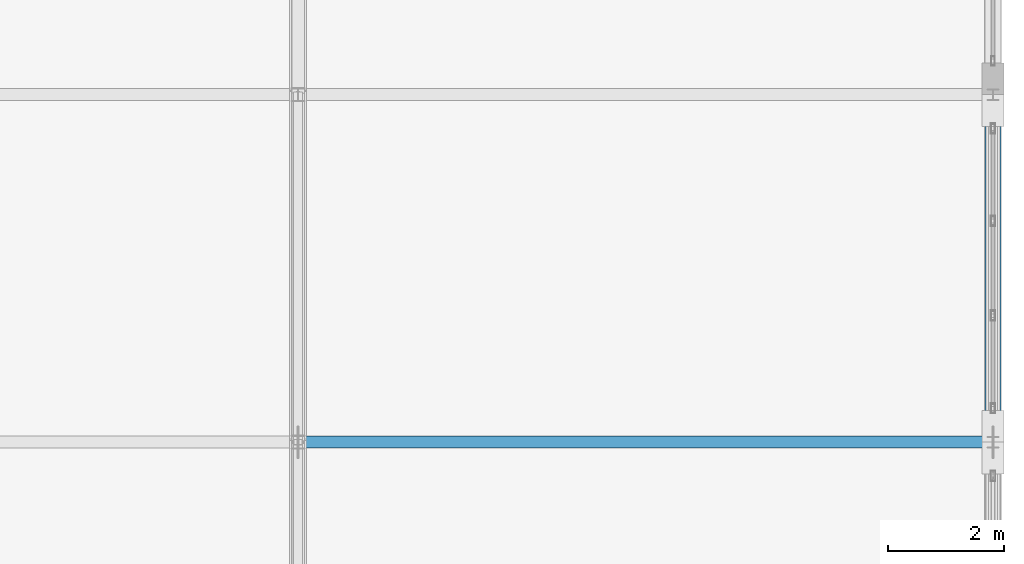
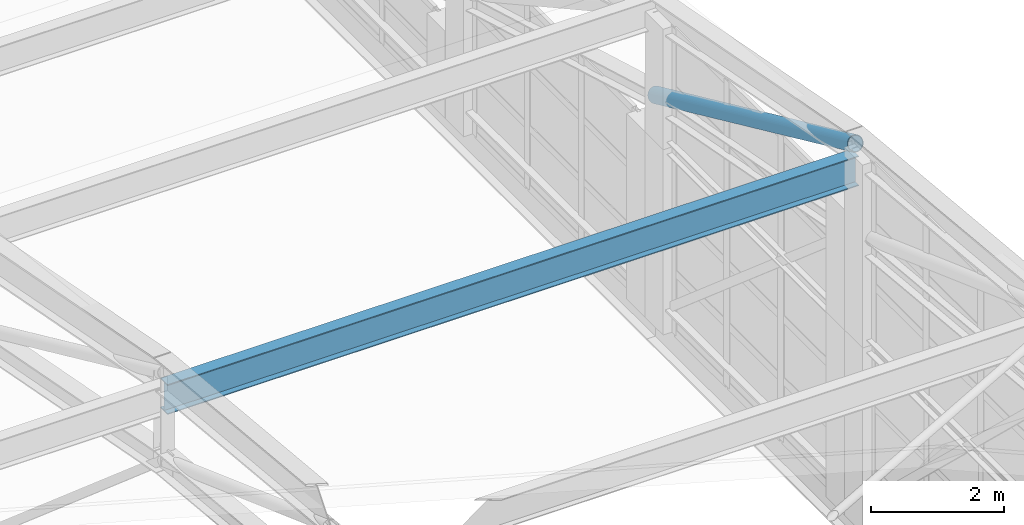
# One storey, part 138 of 204: 2 members.
"""IFC4 building model written with IfcOpenShell, lengths in metres."""

from ifc_helpers import new_model, si_unit, direction, frame, origin, origin_2d, place, context, subcontext, project, spatial, hollow_circle, i_section, extrude, material, material_profile, profile_set, type_object, element, save


model = new_model("IFC4")

# Units and contexts
model_context = context("Model", 3, precision=1e-05, world=origin(), true_north=direction((0.0, 1.0)))
body_context = subcontext(model_context, "Body", "Model", "MODEL_VIEW")
ifc_project = project(units=[si_unit("LENGTHUNIT", "METRE"), si_unit("AREAUNIT", "SQUARE_METRE"), si_unit("VOLUMEUNIT", "CUBIC_METRE"), si_unit("PLANEANGLEUNIT", "RADIAN"), si_unit("MASSUNIT", "GRAM", prefix="KILO")], contexts=[model_context])

# Site, building, storey
site_placement = place(None, origin())
site = spatial("IfcSite", under=ifc_project, at=site_placement, CompositionType="ELEMENT")
building_placement = place(site_placement, origin())
building = spatial("IfcBuilding", under=site, at=building_placement, Name="Zilviju Railside Exhibition Hall", CompositionType="ELEMENT")
storey_placement = place(building_placement, frame((0.0, 0.0, 21.0)))
storey = spatial("IfcBuildingStorey", under=building, at=storey_placement, Name="RF", CompositionType="ELEMENT", Elevation=21.0)

# Members
ifc_material_1 = material(Name="Steel S355ML", Category="steel")
ifc_material_profile_1 = material_profile(ifc_material_1, hollow_circle(Radius=0.136474609375, WallThickness=0.012451171875, at=origin_2d()), Name="CHS 273.0x12.5")
ifc_profile_set_1 = profile_set([ifc_material_profile_1], Name="Steel S355ML")
member_type_1 = type_object("IfcMemberType", Name="TR-BR-CHS273", PredefinedType="BRACE", material=ifc_profile_set_1)
member_1_placement = place(storey_placement, frame((216.0, 120.0, 3.155517578125), z_axis=(0.0, 0.909316915895, -0.416104249518), x_axis=(-1.0, 0.0, 0.0)))
element("IfcMember", 1, at=member_1_placement, inside=storey, type_object=member_type_1, Name="V2 Parabolic Arch Web Diagonal X=216.0 P7", PredefinedType="BRACE", context=body_context, shape_type="SweptSolid", body=[
    extrude(hollow_circle(Radius=0.136474609375, WallThickness=0.012451171875, at=origin_2d()), origin(), (0.0, 0.0, 1.0), 6.598388671875),
])
ifc_material_2 = material(Name="Steel S355J2", Category="steel")
ifc_material_profile_2 = material_profile(ifc_material_2, i_section(OverallWidth=0.2099609375, OverallDepth=0.550048828125, WebThickness=0.010986328125, FlangeThickness=0.01708984375, at=origin_2d()), Name="IPE 550")
ifc_profile_set_2 = profile_set([ifc_material_profile_2], Name="Steel S355J2")
member_type_2 = type_object("IfcMemberType", Name="TR-PUR-IPE550", PredefinedType="PURLIN", material=ifc_profile_set_2)
member_2_placement = place(storey_placement, frame((204.0, 120.0, 2.716796875), z_axis=(1.0, 0.0, 0.0), x_axis=(0.0, 1.0, 0.0)))
element("IfcMember", 2, at=member_2_placement, inside=storey, type_object=member_type_2, Name="V2 Barrel Vault Roof Purlin Y=120.0 (204.0..216.0)", PredefinedType="PURLIN", context=body_context, shape_type="SweptSolid", body=[
    extrude(i_section(OverallWidth=0.2099609375, OverallDepth=0.550048828125, WebThickness=0.010986328125, FlangeThickness=0.01708984375, at=origin_2d()), origin(), (0.0, 0.0, 1.0), 12.0),
])

save(model, "model.ifc")
